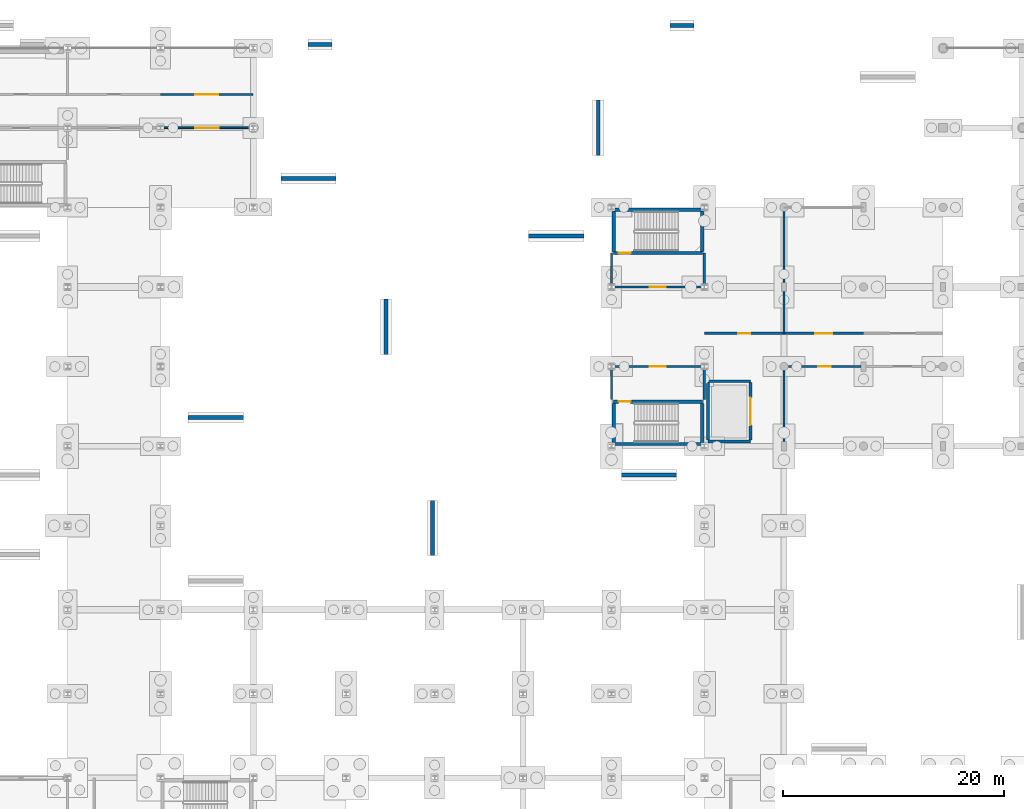
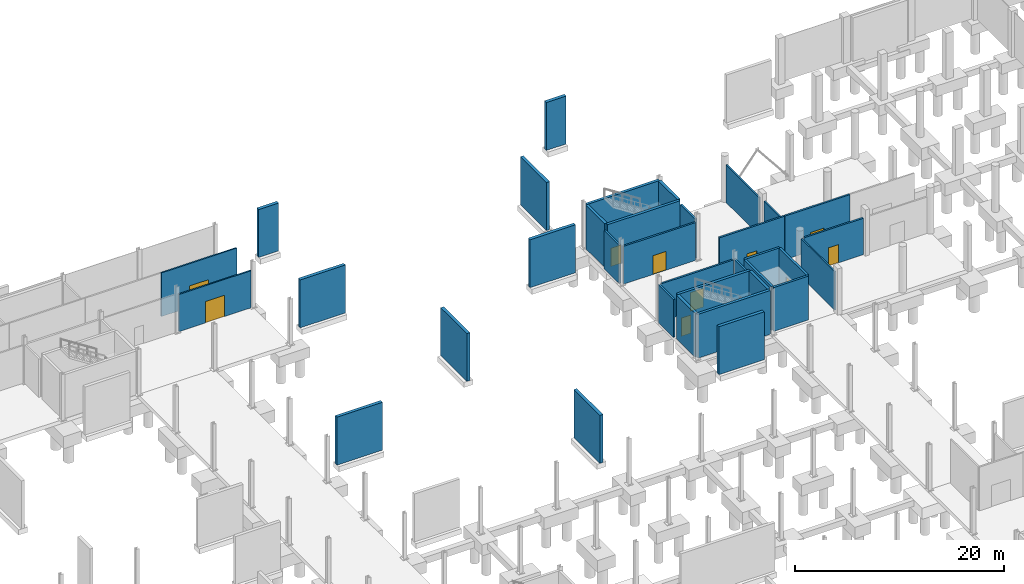
# One storey, part 48 of 61: 35 walls, 10 doors, 10 openings.
"""IFC4 building model written with IfcOpenShell, lengths in metres."""

import ifcopenshell
import ifcopenshell.guid

model = None  # the IFC model being written
_history = None  # IfcOwnerHistory: only IFC2X3 demands one
_inside = {}  # id of a spatial element -> (the spatial element, [elements in it])
_under = {}  # id of a project, library or spatial element -> (it, [spatial elements below it])
_declared = {}  # id of a project -> (the project, [libraries it declares])
_typed = {}  # id of a type object -> (the type object, [elements of that type])
_made_of = {}  # id of a material, layer set ... -> (it, [elements and type objects made of it])


def new_model(schema):
    """Start an empty IFC model of exactly this schema.

    Asked for "IFC4X3", IfcOpenShell would pick the latest addendum, in which some entities
    have other attributes; the version numbers below select the first issue.
    IFC2X3 requires an IfcOwnerHistory on every rooted entity: one is made here for all.
    """
    global model, _history
    if schema == "IFC4X3":
        model = ifcopenshell.file(schema_version=(4, 3, 0, 0))
    else:
        model = ifcopenshell.file(schema=schema)
    _inside.clear()
    _under.clear()
    _declared.clear()
    _typed.clear()
    _made_of.clear()
    _history = None
    if model.schema == "IFC2X3":
        org = make("IfcOrganization", Name="unknown")
        user = make(
            "IfcPersonAndOrganization",
            ThePerson=make("IfcPerson", FamilyName="unknown"),
            TheOrganization=org,
        )
        app = make(
            "IfcApplication",
            ApplicationDeveloper=org,
            Version="unknown",
            ApplicationFullName="unknown",
            ApplicationIdentifier="unknown",
        )
        _history = make(
            "IfcOwnerHistory",
            OwningUser=user,
            OwningApplication=app,
            ChangeAction="ADDED",
            CreationDate=0,
        )
    return model


def make(cls, **values):
    """One entity of the class cls with the attributes given. An attribute that is None is left unset."""
    return model.create_entity(
        cls, **{name: value for name, value in values.items() if value is not None}
    )


def rooted(cls, **values):
    """An entity with a GlobalId (a new one), such as an element, a storey or a relation."""
    return make(cls, GlobalId=ifcopenshell.guid.new(), OwnerHistory=_history, **values)


def si_unit(unit_type, name, prefix=None):
    """IfcSIUnit, for example si_unit("LENGTHUNIT", "METRE", prefix="MILLI")."""
    return make("IfcSIUnit", UnitType=unit_type, Prefix=prefix, Name=name)


def assignment(units):
    """IfcUnitAssignment: the units of a project."""
    return None if units is None else make("IfcUnitAssignment", Units=units)


def point(xyz):
    """IfcCartesianPoint."""
    return None if xyz is None else make("IfcCartesianPoint", Coordinates=xyz)


def direction(xyz):
    """IfcDirection."""
    return None if xyz is None else make("IfcDirection", DirectionRatios=xyz)


def frame(location, z_axis=None, x_axis=None):
    """IfcAxis2Placement3D, a coordinate frame: its origin and axes. An axis left out is left unset."""
    return make(
        "IfcAxis2Placement3D",
        Location=point(location),
        Axis=direction(z_axis),
        RefDirection=direction(x_axis),
    )


def frame_2d(location, x_axis=None):
    """IfcAxis2Placement2D, a coordinate frame in the plane: its origin and x axis."""
    return make(
        "IfcAxis2Placement2D", Location=point(location), RefDirection=direction(x_axis)
    )


def origin():
    """The frame at (0, 0, 0) with its axes left unset."""
    return frame((0.0, 0.0, 0.0))


def place(relative_to, where):
    """IfcLocalPlacement: puts the frame where relative to a parent placement (None: the world)."""
    return make(
        "IfcLocalPlacement", PlacementRelTo=relative_to, RelativePlacement=where
    )


def context(
    kind, dimensions, precision=None, world=None, true_north=None, identifier=None
):
    """IfcGeometricRepresentationContext, for example the 3D "Model" context."""
    return make(
        "IfcGeometricRepresentationContext",
        ContextIdentifier=identifier,
        ContextType=kind,
        CoordinateSpaceDimension=dimensions,
        Precision=precision,
        WorldCoordinateSystem=world,
        TrueNorth=true_north,
    )


def subcontext(parent, identifier, kind, view, scale=None):
    """IfcGeometricRepresentationSubContext, for example "Body" below "Model"."""
    return make(
        "IfcGeometricRepresentationSubContext",
        ContextIdentifier=identifier,
        ContextType=kind,
        ParentContext=parent,
        TargetScale=scale,
        TargetView=view,
    )


def project(units=None, contexts=None):
    """IfcProject with its units and contexts."""
    return rooted(
        "IfcProject",
        Name="project",
        RepresentationContexts=contexts,
        UnitsInContext=assignment(units),
    )


def spatial(cls, under=None, at=None, **own):
    """A site, building, storey or space (cls), placed at a placement, below another one or the project."""
    s = rooted(cls, ObjectPlacement=at, **own)
    if under is not None:
        _under.setdefault(under.id(), (under, []))[1].append(s)
    return s


def profile(cls, at=None, kind="AREA", **sizes):
    """A parametric profile (cls). Its sizes go by their IFC names, for example OverallWidth=200.0."""
    return make(cls, ProfileType=kind, Position=at, **sizes)


def rectangle(**sizes):
    """IfcRectangleProfileDef."""
    return profile("IfcRectangleProfileDef", **sizes)


def extrude(swept, where, along, depth):
    """IfcExtrudedAreaSolid: the profile swept, set in the frame where, extruded along a direction by depth."""
    return make(
        "IfcExtrudedAreaSolid",
        SweptArea=swept,
        Position=where,
        ExtrudedDirection=direction(along),
        Depth=depth,
    )


def shape(context_of_items, identifier, shape_type, items):
    """IfcShapeRepresentation: the items that make up one representation, for example the "Body"."""
    return make(
        "IfcShapeRepresentation",
        ContextOfItems=context_of_items,
        RepresentationIdentifier=identifier,
        RepresentationType=shape_type,
        Items=items,
    )


def material(Name=None, Category=None):
    """IfcMaterial."""
    return make("IfcMaterial", Name=Name, Category=Category)


def layer(
    of_material, thickness, ventilated=None, Name=None, Category=None, Priority=None
):
    """IfcMaterialLayer: one layer of a wall or slab, of a material (None: an air gap)."""
    return make(
        "IfcMaterialLayer",
        Material=of_material,
        LayerThickness=thickness,
        IsVentilated=ventilated,
        Name=Name,
        Category=Category,
        Priority=Priority,
    )


def layer_set(layers, Name=None):
    """IfcMaterialLayerSet."""
    return make("IfcMaterialLayerSet", MaterialLayers=layers, LayerSetName=Name)


def made_of(thing, what):
    """Note that an element or type object is made of a material, layer set ...; save() writes the relation."""
    if what is not None:
        _made_of.setdefault(what.id(), (what, []))[1].append(thing)
    return thing


def type_object(cls, material=None, **own):
    """A type object (cls), such as IfcWallType, which elements share."""
    return made_of(rooted(cls, **own), material)


def element(
    cls,
    number,
    at=None,
    inside=None,
    cuts=None,
    type_object=None,
    material=None,
    context=None,
    identifier="Body",
    shape_type=None,
    held_by="IfcProductDefinitionShape",
    body=None,
    shapes=None,
    **own,
):
    """One element of the class cls, such as IfcWall. Its Tag is "e" and its number.

    at: its placement. inside: the storey or other place that contains it. cuts: it is an
    opening in that element (IfcRelVoidsElement). A single representation is given by context,
    identifier, shape_type and body (its items); several are given by shapes. held_by: the class
    of the entity that holds the representations. save() writes the other relations.
    """
    e = rooted(cls, Tag="e%d" % number, ObjectPlacement=at, **own)
    if body is not None:
        shapes = [shape(context, identifier, shape_type, body)]
    if shapes is not None:
        e.Representation = make(held_by, Representations=shapes)
    if inside is not None:
        _inside.setdefault(inside.id(), (inside, []))[1].append(e)
    if cuts is not None:
        rooted(
            "IfcRelVoidsElement", RelatingBuildingElement=cuts, RelatedOpeningElement=e
        )
    if type_object is not None:
        _typed.setdefault(type_object.id(), (type_object, []))[1].append(e)
    return made_of(e, material)


def fill(opening, filler):
    """IfcRelFillsElement: the door or window that sits in an opening."""
    return rooted(
        "IfcRelFillsElement",
        RelatingOpeningElement=opening,
        RelatedBuildingElement=filler,
    )


def aggregate(whole, parts):
    """IfcRelAggregates: a whole, such as a stair, and the parts it consists of."""
    return rooted("IfcRelAggregates", RelatingObject=whole, RelatedObjects=parts)


def save(model, path):
    """Write the relations noted so far, then the file.

    IfcRelAggregates (storeys below a building ...), IfcRelContainedInSpatialStructure (elements
    in a storey), IfcRelDefinesByType, IfcRelAssociatesMaterial and IfcRelDeclares: one each for
    every whole, place, type object, material and project.
    """
    for whole, parts in _under.values():
        aggregate(whole, parts)
    for where, things in _inside.values():
        rooted(
            "IfcRelContainedInSpatialStructure",
            RelatedElements=things,
            RelatingStructure=where,
        )
    for kind, things in _typed.values():
        rooted("IfcRelDefinesByType", RelatedObjects=things, RelatingType=kind)
    for what, things in _made_of.values():
        rooted("IfcRelAssociatesMaterial", RelatedObjects=things, RelatingMaterial=what)
    for by, libraries in _declared.values():
        rooted("IfcRelDeclares", RelatingContext=by, RelatedDefinitions=libraries)
    model.write(path)


model = new_model("IFC4")

# Units and contexts
model_context = context("Model", 3, precision=1e-05, world=origin(), true_north=direction((0.0, 1.0)))
body_context = subcontext(model_context, "Body", "Model", "MODEL_VIEW")
ifc_project = project(units=[si_unit("LENGTHUNIT", "METRE"), si_unit("AREAUNIT", "SQUARE_METRE"), si_unit("VOLUMEUNIT", "CUBIC_METRE"), si_unit("PLANEANGLEUNIT", "RADIAN"), si_unit("MASSUNIT", "GRAM", prefix="KILO")], contexts=[model_context])

# Site, building, storey
site_placement = place(None, origin())
site = spatial("IfcSite", under=ifc_project, at=site_placement, CompositionType="ELEMENT")
building_placement = place(site_placement, origin())
building = spatial("IfcBuilding", under=site, at=building_placement, Name="Calvrana Isthmian Art Gallery", CompositionType="ELEMENT")
storey_placement = place(building_placement, frame((0.0, 0.0, -5.39990234375)))
storey = spatial("IfcBuildingStorey", under=building, at=storey_placement, Name="B1", CompositionType="ELEMENT", Elevation=-5.39990234375)

# Wall
ifc_material_1 = material(Name="Concrete C40/50", Category="concrete")
ifc_layer_1 = layer(ifc_material_1, 0.300048828125, Name="Concrete C40/50")
ifc_layer_set_1 = layer_set([ifc_layer_1], Name="Concrete C40/50")
wall_type_1 = type_object("IfcWallType", Name="CW-SHAFT-300", PredefinedType="SHEAR", material=ifc_layer_set_1)
wall_1_placement = place(storey_placement, frame((104.590087890625, 77.0, 0.0), z_axis=(0.0, 0.0, 1.0), x_axis=(1.0, 0.0, 0.0)))
element("IfcWall", 1, at=wall_1_placement, inside=storey, type_object=wall_type_1, Name="Core C5 shear wall S B1", PredefinedType="SHEAR", context=body_context, shape_type="SweptSolid", body=[
    extrude(rectangle(XDim=8.02001953125, YDim=0.300048828125, at=frame_2d((4.010009765625, 0.0))), origin(), (0.0, 0.0, 1.0), 5.119873046875),
])

# Wall, opening, door
wall_2_placement = place(storey_placement, frame((104.590087890625, 80.820068359375, 0.0), z_axis=(0.0, 0.0, 1.0), x_axis=(1.0, 0.0, 0.0)))
wall_2 = element("IfcWall", 2, at=wall_2_placement, inside=storey, type_object=wall_type_1, Name="Core C5 shear wall N B1", PredefinedType="SHEAR", context=body_context, shape_type="SweptSolid", body=[
    extrude(rectangle(XDim=8.02001953125, YDim=0.300048828125, at=frame_2d((4.010009765625, 0.0))), origin(), (0.0, 0.0, 1.0), 5.119873046875),
])
opening_1_placement = place(wall_2_placement, frame((0.449951171875, 0.0, 0.0)))
opening_1 = element("IfcOpeningElement", 3, at=opening_1_placement, cuts=wall_2, Name="Opening D-156", PredefinedType="OPENING", context=body_context, shape_type="SweptSolid", body=[
    extrude(rectangle(XDim=1.10009765625, YDim=2.14990234375, at=frame_2d((0.550048828125, 1.074951171875))), frame((0.0, 0.16015625, 0.0), z_axis=(0.0, -1.0, 0.0), x_axis=(1.0, 0.0, 0.0)), (0.0, 0.0, 1.0), 0.320556640625),
])
ifc_material_2 = material(Name="Steel ASTM A572 Gr 50", Category="steel")
door_type_1 = type_object("IfcDoorType", Name="DR-FIRE-1100", OperationType="NOTDEFINED", PredefinedType="DOOR", material=ifc_material_2)
door_1_placement = place(opening_1_placement, origin())
door_1 = element("IfcDoor", 4, at=door_1_placement, inside=storey, type_object=door_type_1, Name="Stair ST-5 fire door B1", OperationType="SINGLE_SWING_LEFT", OverallHeight=2.14990234375, OverallWidth=1.10009765625, PredefinedType="DOOR", context=body_context, shape_type="SweptSolid", body=[
    extrude(rectangle(XDim=1.10009765625, YDim=2.14990234375, at=frame_2d((0.550048828125, 1.074951171875))), frame((0.0, 0.02490234375, 0.0), z_axis=(0.0, -1.0, 0.0), x_axis=(1.0, 0.0, 0.0)), (0.0, 0.0, 1.0), 0.050048828125),
])
fill(opening_1, door_1)

# Walls
for number, where, z_axis, x_axis, name in (
    (5, (104.590087890625, 77.14990234375, 0.0), (0.0, 0.0, 1.0), (0.0, 1.0, 0.0), "Core C5 shear wall W B1"),
    (6, (112.610107421875, 77.14990234375, 0.0), (0.0, 0.0, 1.0), (0.0, 1.0, 0.0), "Core C5 shear wall E B1"),
):
    element("IfcWall", number, at=place(storey_placement, frame(where, z_axis=z_axis, x_axis=x_axis)), inside=storey, type_object=wall_type_1, Name=name, PredefinedType="SHEAR", context=body_context, shape_type="SweptSolid", body=[
        extrude(rectangle(XDim=3.52001953125, YDim=0.300048828125, at=frame_2d((1.760009765625, 0.0))), origin(), (0.0, 0.0, 1.0), 5.119873046875),
    ])

# Wall, opening, door
wall_3_placement = place(storey_placement, frame((104.590087890625, 94.280029296875, 0.0), z_axis=(0.0, 0.0, 1.0), x_axis=(1.0, 0.0, 0.0)))
wall_3 = element("IfcWall", 7, at=wall_3_placement, inside=storey, type_object=wall_type_1, Name="Core C8 shear wall S B1", PredefinedType="SHEAR", context=body_context, shape_type="SweptSolid", body=[
    extrude(rectangle(XDim=8.02001953125, YDim=0.300048828125, at=frame_2d((4.010009765625, 0.0))), origin(), (0.0, 0.0, 1.0), 5.119873046875),
])
opening_2_placement = place(wall_3_placement, frame((0.449951171875, 0.0, 0.0)))
opening_2 = element("IfcOpeningElement", 8, at=opening_2_placement, cuts=wall_3, Name="Opening D-180", PredefinedType="OPENING", context=body_context, shape_type="SweptSolid", body=[
    extrude(rectangle(XDim=1.10009765625, YDim=2.14990234375, at=frame_2d((0.550048828125, 1.074951171875))), frame((0.0, 0.16015625, 0.0), z_axis=(0.0, -1.0, 0.0), x_axis=(1.0, 0.0, 0.0)), (0.0, 0.0, 1.0), 0.320556640625),
])
door_2_placement = place(opening_2_placement, origin())
door_2 = element("IfcDoor", 9, at=door_2_placement, inside=storey, type_object=door_type_1, Name="Stair ST-8 fire door B1", OperationType="SINGLE_SWING_LEFT", OverallHeight=2.14990234375, OverallWidth=1.10009765625, PredefinedType="DOOR", context=body_context, shape_type="SweptSolid", body=[
    extrude(rectangle(XDim=1.10009765625, YDim=2.14990234375, at=frame_2d((0.550048828125, 1.074951171875))), frame((0.0, 0.02490234375, 0.0), z_axis=(0.0, -1.0, 0.0), x_axis=(1.0, 0.0, 0.0)), (0.0, 0.0, 1.0), 0.050048828125),
])
fill(opening_2, door_2)

# Walls
wall_4_placement = place(storey_placement, frame((104.590087890625, 98.179931640625, 0.0), z_axis=(0.0, 0.0, 1.0), x_axis=(1.0, 0.0, 0.0)))
element("IfcWall", 10, at=wall_4_placement, inside=storey, type_object=wall_type_1, Name="Core C8 shear wall N B1", PredefinedType="SHEAR", context=body_context, shape_type="SweptSolid", body=[
    extrude(rectangle(XDim=8.02001953125, YDim=0.300048828125, at=frame_2d((4.010009765625, 0.0))), origin(), (0.0, 0.0, 1.0), 5.119873046875),
])
for number, where, z_axis, x_axis, name in (
    (11, (104.590087890625, 94.429931640625, 0.0), (0.0, 0.0, 1.0), (0.0, 1.0, 0.0), "Core C8 shear wall W B1"),
    (12, (112.610107421875, 94.429931640625, 0.0), (0.0, 0.0, 1.0), (0.0, 1.0, 0.0), "Core C8 shear wall E B1"),
):
    element("IfcWall", number, at=place(storey_placement, frame(where, z_axis=z_axis, x_axis=x_axis)), inside=storey, type_object=wall_type_1, Name=name, PredefinedType="SHEAR", context=body_context, shape_type="SweptSolid", body=[
        extrude(rectangle(XDim=3.60009765625, YDim=0.300048828125, at=frame_2d((1.800048828125, 0.0))), origin(), (0.0, 0.0, 1.0), 5.119873046875),
    ])
ifc_material_3 = material(Name="Acoustic gypsum ceiling", Category="gypsum")
ifc_layer_2 = layer(ifc_material_3, 0.199951171875, Name="Acoustic gypsum ceiling")
ifc_layer_set_2 = layer_set([ifc_layer_2], Name="Acoustic gypsum ceiling")
wall_type_2 = type_object("IfcWallType", Name="PW-FIRE-200", PredefinedType="PARTITIONING", material=ifc_layer_set_2)
wall_5_placement = place(storey_placement, frame((104.39990234375, 81.0400390625, 0.0), z_axis=(0.0, 0.0, 1.0), x_axis=(0.0, 1.0, 0.0)))
element("IfcWall", 13, at=wall_5_placement, inside=storey, type_object=wall_type_2, Name="Core C5 lobby W closure B1", PredefinedType="PARTITIONING", context=body_context, shape_type="SweptSolid", body=[
    extrude(rectangle(XDim=2.93994140625, YDim=0.199951171875, at=frame_2d((1.469970703125, 0.0))), origin(), (0.0, 0.0, 1.0), 4.41796875),
])
wall_6_placement = place(storey_placement, frame((112.800048828125, 81.0400390625, 0.0), z_axis=(0.0, 0.0, 1.0), x_axis=(0.0, 1.0, 0.0)))
element("IfcWall", 14, at=wall_6_placement, inside=storey, type_object=wall_type_2, Name="Core C5 lobby E closure B1", PredefinedType="PARTITIONING", context=body_context, shape_type="SweptSolid", body=[
    extrude(rectangle(XDim=2.93994140625, YDim=0.199951171875, at=frame_2d((1.469970703125, 0.0))), origin(), (0.0, 0.0, 1.0), 4.4228515625),
])

# Wall, opening, door
wall_7_placement = place(storey_placement, frame((104.6201171875, 84.0, 0.0), z_axis=(0.0, 0.0, 1.0), x_axis=(1.0, 0.0, 0.0)))
wall_7 = element("IfcWall", 15, at=wall_7_placement, inside=storey, type_object=wall_type_2, Name="Core C5 lobby enclosure B1", PredefinedType="PARTITIONING", context=body_context, shape_type="SweptSolid", body=[
    extrude(rectangle(XDim=7.9599609375, YDim=0.199951171875, at=frame_2d((3.97998046875, 0.0))), origin(), (0.0, 0.0, 1.0), 4.407958984375),
])
opening_3_placement = place(wall_7_placement, frame((3.2548828125, 0.0, 0.0)))
opening_3 = element("IfcOpeningElement", 16, at=opening_3_placement, cuts=wall_7, Name="Opening D-157", PredefinedType="OPENING", context=body_context, shape_type="SweptSolid", body=[
    extrude(rectangle(XDim=1.449951171875, YDim=2.199951171875, at=frame_2d((0.72509765625, 1.10009765625))), frame((0.0, 0.1103515625, 0.0), z_axis=(0.0, -1.0, 0.0), x_axis=(1.0, 0.0, 0.0)), (0.0, 0.0, 1.0), 0.220458984375),
])
door_type_2 = type_object("IfcDoorType", Name="DR-LOBBY-1450", OperationType="DOUBLE_DOOR_SINGLE_SWING", PredefinedType="DOOR", material=ifc_material_2)
door_3_placement = place(opening_3_placement, origin())
door_3 = element("IfcDoor", 17, at=door_3_placement, inside=storey, type_object=door_type_2, Name="Core C5 lobby fire door B1", OperationType="DOUBLE_DOOR_SINGLE_SWING", OverallHeight=2.199951171875, OverallWidth=1.449951171875, PredefinedType="DOOR", context=body_context, shape_type="SweptSolid", body=[
    extrude(rectangle(XDim=1.449951171875, YDim=2.199951171875, at=frame_2d((0.72509765625, 1.10009765625))), frame((0.0, 0.02490234375, 0.0), z_axis=(0.0, -1.0, 0.0), x_axis=(1.0, 0.0, 0.0)), (0.0, 0.0, 1.0), 0.050048828125),
])
fill(opening_3, door_3)

# Walls
wall_8_placement = place(storey_placement, frame((104.39990234375, 91.419921875, 0.0), z_axis=(0.0, 0.0, 1.0), x_axis=(0.0, 1.0, 0.0)))
element("IfcWall", 18, at=wall_8_placement, inside=storey, type_object=wall_type_2, Name="Core C8 lobby W closure B1", PredefinedType="PARTITIONING", context=body_context, shape_type="SweptSolid", body=[
    extrude(rectangle(XDim=2.840087890625, YDim=0.199951171875, at=frame_2d((1.419921875, 0.0))), origin(), (0.0, 0.0, 1.0), 4.496826171875),
])
wall_9_placement = place(storey_placement, frame((112.800048828125, 91.419921875, 0.0), z_axis=(0.0, 0.0, 1.0), x_axis=(0.0, 1.0, 0.0)))
element("IfcWall", 19, at=wall_9_placement, inside=storey, type_object=wall_type_2, Name="Core C8 lobby E closure B1", PredefinedType="PARTITIONING", context=body_context, shape_type="SweptSolid", body=[
    extrude(rectangle(XDim=2.840087890625, YDim=0.199951171875, at=frame_2d((1.419921875, 0.0))), origin(), (0.0, 0.0, 1.0), 4.56787109375),
])

# Wall, opening, door
wall_10_placement = place(storey_placement, frame((104.6201171875, 91.199951171875, 0.0), z_axis=(0.0, 0.0, 1.0), x_axis=(1.0, 0.0, 0.0)))
wall_10 = element("IfcWall", 20, at=wall_10_placement, inside=storey, type_object=wall_type_2, Name="Core C8 lobby enclosure B1", PredefinedType="PARTITIONING", context=body_context, shape_type="SweptSolid", body=[
    extrude(rectangle(XDim=7.9599609375, YDim=0.199951171875, at=frame_2d((3.97998046875, 0.0))), origin(), (0.0, 0.0, 1.0), 4.41796875),
])
opening_4_placement = place(wall_10_placement, frame((3.2548828125, 0.0, 0.0)))
opening_4 = element("IfcOpeningElement", 21, at=opening_4_placement, cuts=wall_10, Name="Opening D-181", PredefinedType="OPENING", context=body_context, shape_type="SweptSolid", body=[
    extrude(rectangle(XDim=1.449951171875, YDim=2.199951171875, at=frame_2d((0.72509765625, 1.10009765625))), frame((0.0, 0.1103515625, 0.0), z_axis=(0.0, -1.0, 0.0), x_axis=(1.0, 0.0, 0.0)), (0.0, 0.0, 1.0), 0.220458984375),
])
door_4_placement = place(opening_4_placement, origin())
door_4 = element("IfcDoor", 22, at=door_4_placement, inside=storey, type_object=door_type_2, Name="Core C8 lobby fire door B1", OperationType="DOUBLE_DOOR_SINGLE_SWING", OverallHeight=2.199951171875, OverallWidth=1.449951171875, PredefinedType="DOOR", context=body_context, shape_type="SweptSolid", body=[
    extrude(rectangle(XDim=1.449951171875, YDim=2.199951171875, at=frame_2d((0.72509765625, 1.10009765625))), frame((0.0, 0.02490234375, 0.0), z_axis=(0.0, -1.0, 0.0), x_axis=(1.0, 0.0, 0.0)), (0.0, 0.0, 1.0), 0.050048828125),
])
fill(opening_4, door_4)

wall_11_placement = place(storey_placement, frame((120.389892578125, 84.0, 0.0), z_axis=(0.0, 0.0, 1.0), x_axis=(1.0, 0.0, 0.0)))
wall_11 = element("IfcWall", 23, at=wall_11_placement, inside=storey, type_object=wall_type_2, Name="Interior partition PW-058", PredefinedType="PARTITIONING", context=body_context, shape_type="SweptSolid", body=[
    extrude(rectangle(XDim=6.570068359375, YDim=0.199951171875, at=frame_2d((3.28515625, 0.0))), origin(), (0.0, 0.0, 1.0), 4.2578125),
])
opening_5_placement = place(wall_11_placement, frame((2.735107421875, 0.0, 0.0)))
opening_5 = element("IfcOpeningElement", 24, at=opening_5_placement, cuts=wall_11, Name="Opening D-220", PredefinedType="OPENING", context=body_context, shape_type="SweptSolid", body=[
    extrude(rectangle(XDim=1.10009765625, YDim=2.14990234375, at=frame_2d((0.550048828125, 1.074951171875))), frame((0.0, 0.1103515625, 0.0), z_axis=(0.0, -1.0, 0.0), x_axis=(1.0, 0.0, 0.0)), (0.0, 0.0, 1.0), 0.220458984375),
])
door_5_placement = place(opening_5_placement, origin())
door_5 = element("IfcDoor", 25, at=door_5_placement, inside=storey, type_object=door_type_1, Name="Interior door D-220", OperationType="SINGLE_SWING_RIGHT", OverallHeight=2.14990234375, OverallWidth=1.10009765625, PredefinedType="DOOR", context=body_context, shape_type="SweptSolid", body=[
    extrude(rectangle(XDim=1.10009765625, YDim=2.14990234375, at=frame_2d((0.550048828125, 1.074951171875))), frame((0.0, 0.02490234375, 0.0), z_axis=(0.0, -1.0, 0.0), x_axis=(1.0, 0.0, 0.0)), (0.0, 0.0, 1.0), 0.050048828125),
])
fill(opening_5, door_5)

wall_12_placement = place(storey_placement, frame((112.81005859375, 87.010009765625, 0.0), z_axis=(0.0, 0.0, 1.0), x_axis=(1.0, 0.0, 0.0)))
wall_12 = element("IfcWall", 26, at=wall_12_placement, inside=storey, type_object=wall_type_2, Name="Interior partition PW-060", PredefinedType="PARTITIONING", context=body_context, shape_type="SweptSolid", body=[
    extrude(rectangle(XDim=7.179931640625, YDim=0.199951171875, at=frame_2d((3.58984375, 0.0))), origin(), (0.0, 0.0, 1.0), 5.099853515625),
])
opening_6_placement = place(wall_12_placement, frame((3.0400390625, 0.0, 0.0)))
opening_6 = element("IfcOpeningElement", 27, at=opening_6_placement, cuts=wall_12, Name="Opening D-222", PredefinedType="OPENING", context=body_context, shape_type="SweptSolid", body=[
    extrude(rectangle(XDim=1.10009765625, YDim=2.14990234375, at=frame_2d((0.550048828125, 1.074951171875))), frame((0.0, 0.1103515625, 0.0), z_axis=(0.0, -1.0, 0.0), x_axis=(1.0, 0.0, 0.0)), (0.0, 0.0, 1.0), 0.220458984375),
])
door_6_placement = place(opening_6_placement, origin())
door_6 = element("IfcDoor", 28, at=door_6_placement, inside=storey, type_object=door_type_1, Name="Interior door D-222", OperationType="SINGLE_SWING_LEFT", OverallHeight=2.14990234375, OverallWidth=1.10009765625, PredefinedType="DOOR", context=body_context, shape_type="SweptSolid", body=[
    extrude(rectangle(XDim=1.10009765625, YDim=2.14990234375, at=frame_2d((0.550048828125, 1.074951171875))), frame((0.0, 0.02490234375, 0.0), z_axis=(0.0, -1.0, 0.0), x_axis=(1.0, 0.0, 0.0)), (0.0, 0.0, 1.0), 0.050048828125),
])
fill(opening_6, door_6)

wall_13_placement = place(storey_placement, frame((120.010009765625, 87.010009765625, 0.0), z_axis=(0.0, 0.0, 1.0), x_axis=(1.0, 0.0, 0.0)))
wall_13 = element("IfcWall", 29, at=wall_13_placement, inside=storey, type_object=wall_type_2, Name="Interior partition PW-063", PredefinedType="PARTITIONING", context=body_context, shape_type="SweptSolid", body=[
    extrude(rectangle(XDim=7.179931640625, YDim=0.199951171875, at=frame_2d((3.58984375, 0.0))), origin(), (0.0, 0.0, 1.0), 5.099853515625),
])
opening_7_placement = place(wall_13_placement, frame((2.840087890625, 0.0, 0.0)))
opening_7 = element("IfcOpeningElement", 30, at=opening_7_placement, cuts=wall_13, Name="Opening D-223", PredefinedType="OPENING", context=body_context, shape_type="SweptSolid", body=[
    extrude(rectangle(XDim=1.5, YDim=2.199951171875, at=frame_2d((0.75, 1.10009765625))), frame((0.0, 0.1103515625, 0.0), z_axis=(0.0, -1.0, 0.0), x_axis=(1.0, 0.0, 0.0)), (0.0, 0.0, 1.0), 0.220458984375),
])
door_type_3 = type_object("IfcDoorType", Name="DR-STAIR-1500", OperationType="NOTDEFINED", PredefinedType="DOOR", material=ifc_material_2)
door_7_placement = place(opening_7_placement, origin())
door_7 = element("IfcDoor", 31, at=door_7_placement, inside=storey, type_object=door_type_3, Name="Interior door D-223", OperationType="SINGLE_SWING_RIGHT", OverallHeight=2.199951171875, OverallWidth=1.5, PredefinedType="DOOR", context=body_context, shape_type="SweptSolid", body=[
    extrude(rectangle(XDim=1.5, YDim=2.199951171875, at=frame_2d((0.75, 1.10009765625))), frame((0.0, 0.02490234375, 0.0), z_axis=(0.0, -1.0, 0.0), x_axis=(1.0, 0.0, 0.0)), (0.0, 0.0, 1.0), 0.050048828125),
])
fill(opening_7, door_7)

# Walls
ifc_layer_3 = layer(ifc_material_3, 0.159912109375, Name="Acoustic gypsum ceiling")
ifc_layer_set_3 = layer_set([ifc_layer_3], Name="Acoustic gypsum ceiling")
wall_type_3 = type_object("IfcWallType", Name="PW-GAL-160", PredefinedType="PARTITIONING", material=ifc_layer_set_3)
wall_14_placement = place(storey_placement, frame((120.0, 77.239990234375, 0.0), z_axis=(0.0, 0.0, 1.0), x_axis=(0.0, 1.0, 0.0)))
element("IfcWall", 32, at=wall_14_placement, inside=storey, type_object=wall_type_3, Name="Interior partition PW-057", PredefinedType="PARTITIONING", context=body_context, shape_type="SweptSolid", body=[
    extrude(rectangle(XDim=6.3701171875, YDim=0.159912109375, at=frame_2d((3.18505859375, 0.0))), origin(), (0.0, 0.0, 1.0), 4.496826171875),
])
wall_15_placement = place(storey_placement, frame((120.0, 87.02001953125, 0.0), z_axis=(0.0, 0.0, 1.0), x_axis=(0.0, 1.0, 0.0)))
element("IfcWall", 33, at=wall_15_placement, inside=storey, type_object=wall_type_3, Name="Interior partition PW-061", PredefinedType="PARTITIONING", context=body_context, shape_type="SweptSolid", body=[
    extrude(rectangle(XDim=3.739990234375, YDim=0.159912109375, at=frame_2d((1.8701171875, 0.0))), origin(), (0.0, 0.0, 1.0), 4.56787109375),
])
wall_16_placement = place(storey_placement, frame((120.0, 91.639892578125, 0.0), z_axis=(0.0, 0.0, 1.0), x_axis=(0.0, 1.0, 0.0)))
element("IfcWall", 34, at=wall_16_placement, inside=storey, type_object=wall_type_3, Name="Interior partition PW-062", PredefinedType="PARTITIONING", context=body_context, shape_type="SweptSolid", body=[
    extrude(rectangle(XDim=6.3701171875, YDim=0.159912109375, at=frame_2d((3.18505859375, 0.0))), origin(), (0.0, 0.0, 1.0), 4.41796875),
])

# Wall, opening, door
wall_17_placement = place(storey_placement, frame((63.81298828125, 105.60009765625, 0.0), z_axis=(0.0, 0.0, 1.0), x_axis=(1.0, 0.0, 0.0)))
wall_17 = element("IfcWall", 35, at=wall_17_placement, inside=storey, type_object=wall_type_3, Name="Interior partition PW-068", PredefinedType="PARTITIONING", context=body_context, shape_type="SweptSolid", body=[
    extrude(rectangle(XDim=7.986572265625, YDim=0.159912109375, at=frame_2d((3.9931640625, 0.0))), origin(), (0.0, 0.0, 1.0), 4.337890625),
])
opening_8_placement = place(wall_17_placement, frame((2.943115234375, 0.0, 0.0)))
opening_8 = element("IfcOpeningElement", 36, at=opening_8_placement, cuts=wall_17, Name="Opening D-228", PredefinedType="OPENING", context=body_context, shape_type="SweptSolid", body=[
    extrude(rectangle(XDim=2.10009765625, YDim=2.5, at=frame_2d((1.050048828125, 1.25))), frame((0.0, 0.09033203125, 0.0), z_axis=(0.0, -1.0, 0.0), x_axis=(1.0, 0.0, 0.0)), (0.0, 0.0, 1.0), 0.180419921875),
])
ifc_material_4 = material(Name="Timber gallery flooring", Category="wood")
door_type_4 = type_object("IfcDoorType", Name="DR-GAL-2100", OperationType="DOUBLE_DOOR_SINGLE_SWING", PredefinedType="DOOR", material=ifc_material_4)
door_8_placement = place(opening_8_placement, origin())
door_8 = element("IfcDoor", 37, at=door_8_placement, inside=storey, type_object=door_type_4, Name="Interior door D-228", OperationType="DOUBLE_DOOR_SINGLE_SWING", OverallHeight=2.5, OverallWidth=2.10009765625, PredefinedType="DOOR", context=body_context, shape_type="SweptSolid", body=[
    extrude(rectangle(XDim=2.10009765625, YDim=2.5, at=frame_2d((1.050048828125, 1.25))), frame((0.0, 0.02490234375, 0.0), z_axis=(0.0, -1.0, 0.0), x_axis=(1.0, 0.0, 0.0)), (0.0, 0.0, 1.0), 0.050048828125),
])
fill(opening_8, door_8)

wall_18_placement = place(storey_placement, frame((63.610107421875, 108.610107421875, 0.0), z_axis=(0.0, 0.0, 1.0), x_axis=(1.0, 0.0, 0.0)))
wall_18 = element("IfcWall", 38, at=wall_18_placement, inside=storey, type_object=wall_type_3, Name="Interior partition PW-075", PredefinedType="PARTITIONING", context=body_context, shape_type="SweptSolid", body=[
    extrude(rectangle(XDim=8.329833984375, YDim=0.159912109375, at=frame_2d((4.1650390625, 0.0))), origin(), (0.0, 0.0, 1.0), 5.099853515625),
])
opening_9_placement = place(wall_18_placement, frame((3.114990234375, 0.0, 0.0)))
opening_9 = element("IfcOpeningElement", 39, at=opening_9_placement, cuts=wall_18, Name="Opening D-233", PredefinedType="OPENING", context=body_context, shape_type="SweptSolid", body=[
    extrude(rectangle(XDim=2.10009765625, YDim=2.5, at=frame_2d((1.050048828125, 1.25))), frame((0.0, 0.09033203125, 0.0), z_axis=(0.0, -1.0, 0.0), x_axis=(1.0, 0.0, 0.0)), (0.0, 0.0, 1.0), 0.180419921875),
])
door_9_placement = place(opening_9_placement, origin())
door_9 = element("IfcDoor", 40, at=door_9_placement, inside=storey, type_object=door_type_4, Name="Interior door D-233", OperationType="DOUBLE_DOOR_SINGLE_SWING", OverallHeight=2.5, OverallWidth=2.10009765625, PredefinedType="DOOR", context=body_context, shape_type="SweptSolid", body=[
    extrude(rectangle(XDim=2.10009765625, YDim=2.5, at=frame_2d((1.050048828125, 1.25))), frame((0.0, 0.02490234375, 0.0), z_axis=(0.0, -1.0, 0.0), x_axis=(1.0, 0.0, 0.0)), (0.0, 0.0, 1.0), 0.050048828125),
])
fill(opening_9, door_9)

# Walls
ifc_material_5 = material(Name="Concrete C35/45", Category="concrete")
ifc_layer_4 = layer(ifc_material_5, 0.25, Name="Concrete C35/45")
ifc_layer_set_4 = layer_set([ifc_layer_4], Name="Concrete C35/45")
wall_type_4 = type_object("IfcWallType", Name="PW-SHAFT-250", PredefinedType="PARTITIONING", material=ifc_layer_set_4)
for number, where, z_axis, x_axis, name in (
    (41, (113.1201171875, 82.679931640625, 0.0), (0.0, 0.0, 1.0), (1.0, 0.0, 0.0), "Goods lift L-G2 shaft N B1"),
    (42, (113.1201171875, 77.219970703125, 0.0), (0.0, 0.0, 1.0), (1.0, 0.0, 0.0), "Goods lift L-G2 shaft S B1"),
):
    element("IfcWall", number, at=place(storey_placement, frame(where, z_axis=z_axis, x_axis=x_axis)), inside=storey, type_object=wall_type_4, Name=name, PredefinedType="PARTITIONING", context=body_context, shape_type="SweptSolid", body=[
        extrude(rectangle(XDim=3.85986328125, YDim=0.25, at=frame_2d((1.929931640625, 0.0))), origin(), (0.0, 0.0, 1.0), 5.119873046875),
    ])
wall_19_placement = place(storey_placement, frame((113.1201171875, 77.35009765625, 0.0), z_axis=(0.0, 0.0, 1.0), x_axis=(0.0, 1.0, 0.0)))
element("IfcWall", 43, at=wall_19_placement, inside=storey, type_object=wall_type_4, Name="Goods lift L-G2 shaft W B1", PredefinedType="PARTITIONING", context=body_context, shape_type="SweptSolid", body=[
    extrude(rectangle(XDim=5.199951171875, YDim=0.25, at=frame_2d((2.60009765625, 0.0))), origin(), (0.0, 0.0, 1.0), 5.119873046875),
])

# Wall, opening, door
wall_20_placement = place(storey_placement, frame((116.97998046875, 77.35009765625, 0.0), z_axis=(0.0, 0.0, 1.0), x_axis=(0.0, 1.0, 0.0)))
wall_20 = element("IfcWall", 44, at=wall_20_placement, inside=storey, type_object=wall_type_4, Name="Goods lift L-G2 shaft E B1", PredefinedType="PARTITIONING", context=body_context, shape_type="SweptSolid", body=[
    extrude(rectangle(XDim=5.199951171875, YDim=0.25, at=frame_2d((2.60009765625, 0.0))), origin(), (0.0, 0.0, 1.0), 5.119873046875),
])
opening_10_placement = place(wall_20_placement, frame((1.35009765625, 0.0, 0.0)))
opening_10 = element("IfcOpeningElement", 45, at=opening_10_placement, cuts=wall_20, Name="Opening LD-G2-B1", PredefinedType="OPENING", context=body_context, shape_type="SweptSolid", body=[
    extrude(rectangle(XDim=2.5, YDim=2.60009765625, at=frame_2d((1.25, 1.300048828125))), frame((0.0, 0.13525390625, 0.0), z_axis=(0.0, -1.0, 0.0), x_axis=(1.0, 0.0, 0.0)), (0.0, 0.0, 1.0), 0.2705078125),
])
ifc_material_6 = material(Name="Stainless steel 316", Category="steel")
door_type_5 = type_object("IfcDoorType", Name="DR-GLIFT-2500", OperationType="DOUBLE_DOOR_SLIDING", PredefinedType="DOOR", material=ifc_material_6)
door_10_placement = place(opening_10_placement, origin())
door_10 = element("IfcDoor", 46, at=door_10_placement, inside=storey, type_object=door_type_5, Name="Freight goods lift L-G2 sliding door B1", OperationType="DOUBLE_DOOR_SLIDING", OverallHeight=2.60009765625, OverallWidth=2.5, PredefinedType="DOOR", context=body_context, shape_type="SweptSolid", body=[
    extrude(rectangle(XDim=2.5, YDim=2.60009765625, at=frame_2d((1.25, 1.300048828125))), frame((0.0, 0.02490234375, 0.0), z_axis=(0.0, -1.0, 0.0), x_axis=(1.0, 0.0, 0.0)), (0.0, 0.0, 1.0), 0.050048828125),
])
fill(opening_10, door_10)

# Walls
ifc_layer_5 = layer(ifc_material_1, 0.35009765625, Name="Concrete C40/50")
ifc_layer_set_5 = layer_set([ifc_layer_5], Name="Concrete C40/50")
wall_type_5 = type_object("IfcWallType", Name="WL-RET-350", PredefinedType="USERDEFINED", material=ifc_layer_set_5)
for number, where, z_axis, x_axis, name in (
    (47, (105.300048828125, 74.199951171875, -0.4501953125), (0.0, 0.0, 1.0), (1.0, 0.0, 0.0), "Apron grade wall SLB_CYD_NE_S-B"),
    (48, (88.199951171875, 66.89990234375, -0.4501953125), (0.0, 0.0, 1.0), (0.0, 1.0, 0.0), "Apron grade wall SLB_CYD_NE_S-C"),
    (49, (66.10009765625, 79.39990234375, -0.4501953125), (0.0, 0.0, 1.0), (1.0, 0.0, 0.0), "Apron grade wall SLB_CYD_NE_M-A"),
    (50, (96.89990234375, 95.800048828125, -0.4501953125), (0.0, 0.0, 1.0), (1.0, 0.0, 0.0), "Apron grade wall SLB_CYD_NE_M-B"),
    (51, (84.0, 85.10009765625, -0.4501953125), (0.0, 0.0, 1.0), (0.0, 1.0, 0.0), "Apron grade wall SLB_CYD_NE_M-C"),
    (52, (74.5, 101.0, -0.4501953125), (0.0, 0.0, 1.0), (1.0, 0.0, 0.0), "Apron grade wall SLB_CYD_NE_N-A"),
    (53, (103.199951171875, 103.10009765625, -0.4501953125), (0.0, 0.0, 1.0), (0.0, 1.0, 0.0), "Apron grade wall SLB_CYD_NE_N-C"),
):
    element("IfcWall", number, at=place(storey_placement, frame(where, z_axis=z_axis, x_axis=x_axis)), inside=storey, type_object=wall_type_5, Name=name, ObjectType="RETAINING WALL", PredefinedType="USERDEFINED", context=body_context, shape_type="SweptSolid", body=[
        extrude(rectangle(XDim=5.0, YDim=0.35009765625, at=frame_2d((2.5, 0.0))), origin(), (0.0, 0.0, 1.0), 5.60009765625),
    ])
for number, where, z_axis, x_axis, name in (
    (54, (76.924072265625, 113.14990234375, -0.4501953125), (0.0, 0.0, 1.0), (1.0, 0.0, 0.0), "Apron grade wall SLB_APR_NORTH_E-A"),
    (55, (109.68408203125, 114.85009765625, -0.4501953125), (0.0, 0.0, 1.0), (1.0, 0.0, 0.0), "Apron grade wall SLB_APR_NORTH_E-B"),
):
    element("IfcWall", number, at=place(storey_placement, frame(where, z_axis=z_axis, x_axis=x_axis)), inside=storey, type_object=wall_type_5, Name=name, ObjectType="RETAINING WALL", PredefinedType="USERDEFINED", context=body_context, shape_type="SweptSolid", body=[
        extrude(rectangle(XDim=2.199951171875, YDim=0.35009765625, at=frame_2d((1.10009765625, 0.0))), origin(), (0.0, 0.0, 1.0), 5.60009765625),
    ])

save(model, "model.ifc")
